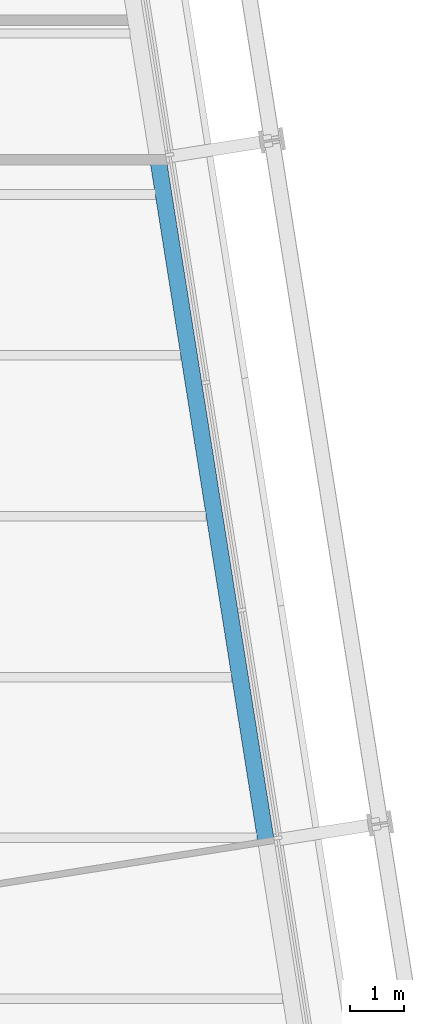
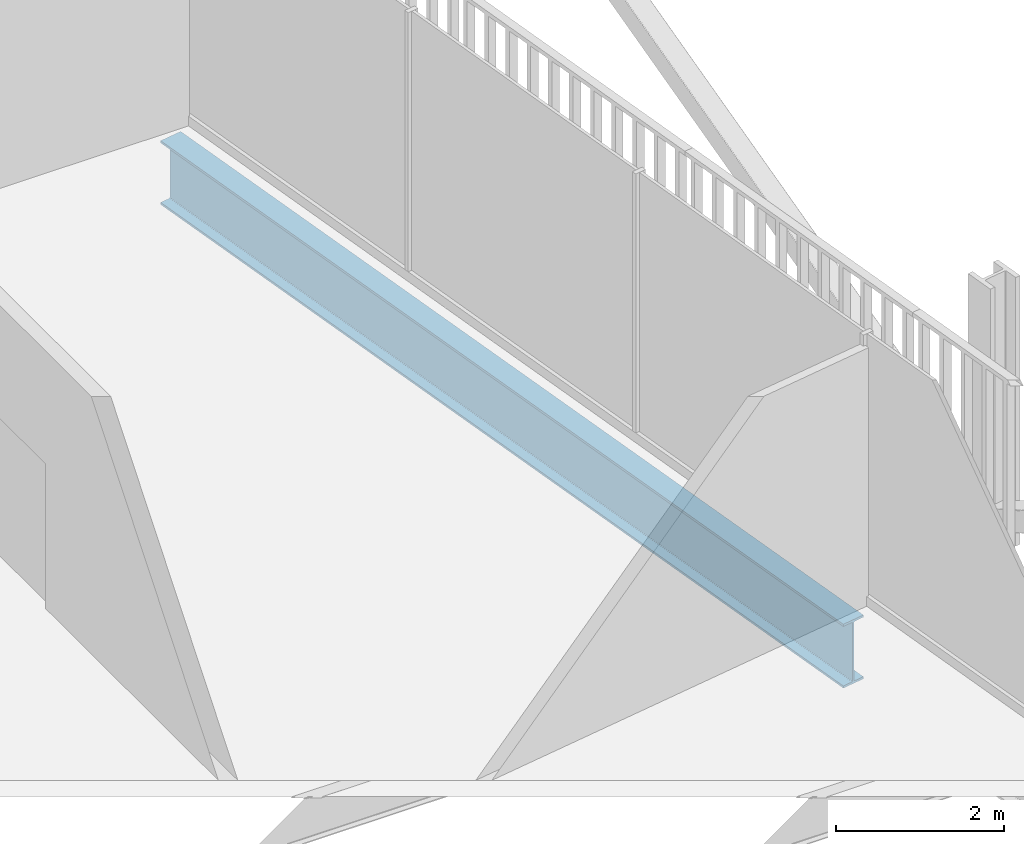
# One storey, part 9 of 22: 1 beam.
"""IFC4 building model written with IfcOpenShell, lengths in metres."""

from ifc_helpers import new_model, si_unit, direction, frame, origin, origin_2d, place, context, subcontext, project, spatial, i_section, extrude, material, material_profile, profile_set, type_object, element, save


model = new_model("IFC4")

# Units and contexts
model_context = context("Model", 3, precision=1e-05, world=origin(), true_north=direction((0.0, 1.0)))
body_context = subcontext(model_context, "Body", "Model", "MODEL_VIEW")
ifc_project = project(units=[si_unit("LENGTHUNIT", "METRE"), si_unit("AREAUNIT", "SQUARE_METRE"), si_unit("VOLUMEUNIT", "CUBIC_METRE"), si_unit("PLANEANGLEUNIT", "RADIAN"), si_unit("MASSUNIT", "GRAM", prefix="KILO")], contexts=[model_context])

# Site, building, storey
site_placement = place(None, origin())
site = spatial("IfcSite", under=ifc_project, at=site_placement, CompositionType="ELEMENT")
building_placement = place(site_placement, origin())
building = spatial("IfcBuilding", under=site, at=building_placement, Name="Millrace Tower", CompositionType="ELEMENT")
storey_placement = place(building_placement, frame((0.0, 0.0, 160.699951171875)))
storey = spatial("IfcBuildingStorey", under=building, at=storey_placement, Name="L36", CompositionType="ELEMENT", Elevation=160.699951171875)

# Beam
ifc_material = material(Name="Steel ASTM A992 Grade 50", Category="steel")
ifc_material_profile = material_profile(ifc_material, i_section(OverallWidth=0.307373046875, OverallDepth=0.927001953125, WebThickness=0.01953125, FlangeThickness=0.031982421875, FilletRadius=0.01904296875, at=origin_2d()))
ifc_profile_set = profile_set([ifc_material_profile], Name="Steel ASTM A992 Grade 50")
beam_type = type_object("IfcBeamType", Name="Ring beam medium span W36x194", PredefinedType="SPANDREL", material=ifc_profile_set)
beam_placement = place(storey_placement, frame((23.25, 9.6728515625, -0.62353515625), z_axis=(0.15642030113, -0.987690583834, 0.0), x_axis=(0.987690583834, 0.15642030113, 0.0)))
element("IfcBeam", 1, at=beam_placement, inside=storey, type_object=beam_type, Name="RNG-C-L36-S1-10", PredefinedType="SPANDREL", context=body_context, shape_type="SweptSolid", body=[
    extrude(i_section(OverallWidth=0.307373046875, OverallDepth=0.927001953125, WebThickness=0.01953125, FlangeThickness=0.031982421875, FilletRadius=0.01904296875, at=origin_2d()), origin(), (0.0, 0.0, 1.0), 12.89990234375),
])

save(model, "model.ifc")
